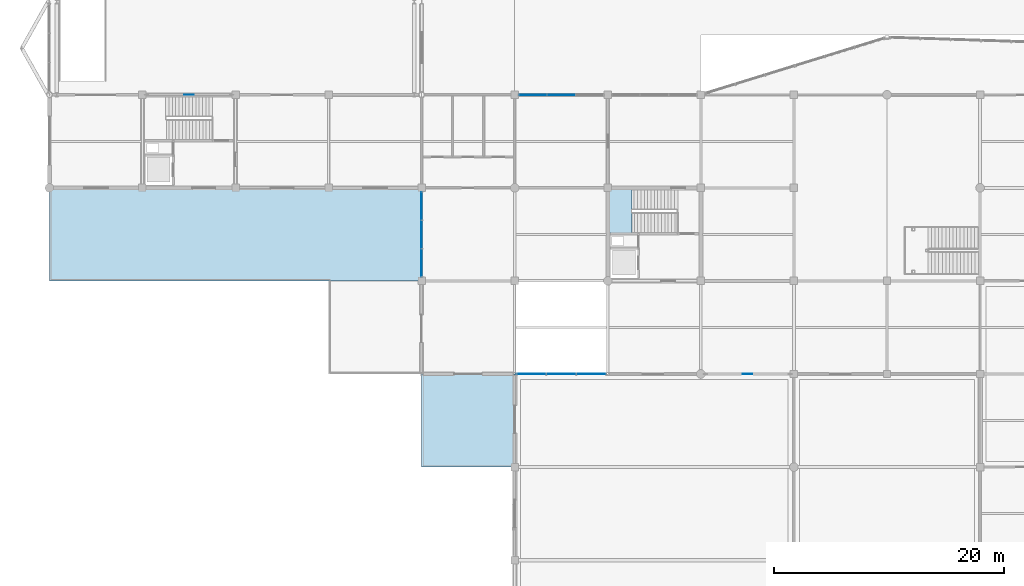
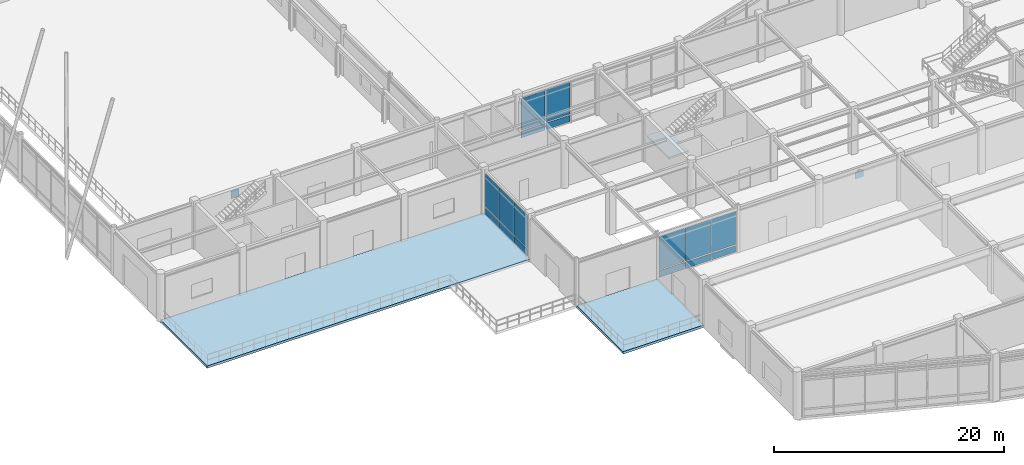
# One storey, part 50 of 99: 18 plates, 3 slabs, 4 elements without a shape of their own.
"""IFC4 building model written with IfcOpenShell, lengths in metres."""

from ifc_helpers import new_model, si_unit, direction, frame, origin, origin_2d, place, context, subcontext, project, spatial, polyline, rectangle, outline, extrude, material, layer, layer_set, type_object, element, aggregate, save


model = new_model("IFC4")

# Units and contexts
model_context = context("Model", 3, precision=1e-05, world=origin(), true_north=direction((0.0, 1.0)))
body_context = subcontext(model_context, "Body", "Model", "MODEL_VIEW")
ifc_project = project(units=[si_unit("LENGTHUNIT", "METRE"), si_unit("AREAUNIT", "SQUARE_METRE"), si_unit("VOLUMEUNIT", "CUBIC_METRE"), si_unit("PLANEANGLEUNIT", "RADIAN"), si_unit("MASSUNIT", "GRAM", prefix="KILO")], contexts=[model_context])

# Site, building, storey
site_placement = place(None, origin())
site = spatial("IfcSite", under=ifc_project, at=site_placement, CompositionType="ELEMENT")
building_placement = place(site_placement, origin())
building = spatial("IfcBuilding", under=site, at=building_placement, Name="Vaudrelin Polytechnic", CompositionType="ELEMENT")
storey_placement = place(building_placement, origin())
storey = spatial("IfcBuildingStorey", under=building, at=storey_placement, Name="L00", CompositionType="ELEMENT", Elevation=0.0)

# Curtain wall, plates
ifc_material_1 = material(Name="Thermally broken anodised aluminium AA 6063-T6 and low-e triple glazing", Category="aluminium")
ifc_layer_1 = layer(ifc_material_1, 0.199951171875)
ifc_layer_set_1 = layer_set([ifc_layer_1], Name="Thermally broken anodised aluminium AA 6063-T6 and low-e triple glazing")
curtain_wall_type_1 = type_object("IfcCurtainWallType", Name="CW-CW-POR", PredefinedType="USERDEFINED", material=ifc_layer_set_1)
curtain_wall_1_placement = place(storey_placement, origin())
curtain_wall_1 = element("IfcCurtainWall", 1, at=curtain_wall_1_placement, inside=storey, type_object=curtain_wall_type_1, Name="Curtain wall L00 W_PORCH_01", ObjectType="CURTAIN WALL", PredefinedType="USERDEFINED")
ifc_material_2 = material(Name="Insulated ceramic-frit spandrel glass panel", Category="glass")
ifc_layer_2 = layer(ifc_material_2, 0.052001953125)
ifc_layer_set_2 = layer_set([ifc_layer_2], Name="Insulated ceramic-frit spandrel glass panel")
plate_type_1 = type_object("IfcPlateType", Name="PLT-GLZ-SPAND", PredefinedType="CURTAIN_PANEL", material=ifc_layer_set_2)
plate_1_placement = place(storey_placement, frame((32.39990234375, 33.96533203125, 0.08984375), z_axis=(0.0, 0.0, 1.0), x_axis=(0.0, 1.0, 0.0)))
plate_1 = element("IfcPlate", 2, at=plate_1_placement, type_object=plate_type_1, Name="W_PORCH_01 spandrel panel 1", PredefinedType="CURTAIN_PANEL", context=body_context, shape_type="SweptSolid", body=[
    extrude(rectangle(XDim=2.384765625, YDim=0.052001953125, at=origin_2d()), origin(), (0.0, 0.0, 1.0), 0.699951171875),
])
plate_2_placement = place(storey_placement, frame((32.39990234375, 36.449951171875, 0.08984375), z_axis=(0.0, 0.0, 1.0), x_axis=(0.0, 1.0, 0.0)))
plate_2 = element("IfcPlate", 3, at=plate_2_placement, type_object=plate_type_1, Name="W_PORCH_01 spandrel panel 2", PredefinedType="CURTAIN_PANEL", context=body_context, shape_type="SweptSolid", body=[
    extrude(rectangle(XDim=2.384765625, YDim=0.052001953125, at=origin_2d()), origin(), (0.0, 0.0, 1.0), 0.699951171875),
])
plate_3_placement = place(storey_placement, frame((32.39990234375, 38.934814453125, 0.08984375), z_axis=(0.0, 0.0, 1.0), x_axis=(0.0, 1.0, 0.0)))
plate_3 = element("IfcPlate", 4, at=plate_3_placement, type_object=plate_type_1, Name="W_PORCH_01 spandrel panel 3", PredefinedType="CURTAIN_PANEL", context=body_context, shape_type="SweptSolid", body=[
    extrude(rectangle(XDim=2.384765625, YDim=0.052001953125, at=origin_2d()), origin(), (0.0, 0.0, 1.0), 0.699951171875),
])

curtain_wall_2_placement = place(storey_placement, origin())
curtain_wall_2 = element("IfcCurtainWall", 5, at=curtain_wall_2_placement, inside=storey, type_object=curtain_wall_type_1, Name="Curtain wall L00 S_PORCH_01", ObjectType="CURTAIN WALL", PredefinedType="USERDEFINED")
plate_4_placement = place(storey_placement, frame((41.933349609375, 24.300048828125, 0.08984375), z_axis=(0.0, 0.0, 1.0), x_axis=(1.0, 0.0, 0.0)))
plate_4 = element("IfcPlate", 6, at=plate_4_placement, type_object=plate_type_1, Name="S_PORCH_01 spandrel panel 1", PredefinedType="CURTAIN_PANEL", context=body_context, shape_type="SweptSolid", body=[
    extrude(rectangle(XDim=2.5166015625, YDim=0.052001953125, at=origin_2d()), origin(), (0.0, 0.0, 1.0), 0.699951171875),
])
plate_5_placement = place(storey_placement, frame((44.550048828125, 24.300048828125, 0.08984375), z_axis=(0.0, 0.0, 1.0), x_axis=(1.0, 0.0, 0.0)))
plate_5 = element("IfcPlate", 7, at=plate_5_placement, type_object=plate_type_1, Name="S_PORCH_01 spandrel panel 2", PredefinedType="CURTAIN_PANEL", context=body_context, shape_type="SweptSolid", body=[
    extrude(rectangle(XDim=2.5166015625, YDim=0.052001953125, at=origin_2d()), origin(), (0.0, 0.0, 1.0), 0.699951171875),
])
plate_6_placement = place(storey_placement, frame((47.166748046875, 24.300048828125, 0.08984375), z_axis=(0.0, 0.0, 1.0), x_axis=(1.0, 0.0, 0.0)))
plate_6 = element("IfcPlate", 8, at=plate_6_placement, type_object=plate_type_1, Name="S_PORCH_01 spandrel panel 3", PredefinedType="CURTAIN_PANEL", context=body_context, shape_type="SweptSolid", body=[
    extrude(rectangle(XDim=2.5166015625, YDim=0.052001953125, at=origin_2d()), origin(), (0.0, 0.0, 1.0), 0.699951171875),
])

ifc_layer_3 = layer(ifc_material_1, 0.199951171875)
ifc_layer_set_3 = layer_set([ifc_layer_3], Name="Thermally broken anodised aluminium AA 6063-T6 and low-e triple glazing")
curtain_wall_type_2 = type_object("IfcCurtainWallType", Name="CW-CW-WG", PredefinedType="USERDEFINED", material=ifc_layer_set_3)
curtain_wall_3_placement = place(storey_placement, origin())
curtain_wall_3 = element("IfcCurtainWall", 9, at=curtain_wall_3_placement, inside=storey, type_object=curtain_wall_type_2, Name="Curtain wall L00 CT_S_00", ObjectType="CURTAIN WALL", PredefinedType="USERDEFINED")
plate_7_placement = place(storey_placement, frame((42.065185546875, 48.60009765625, 0.08984375), z_axis=(0.0, 0.0, 1.0), x_axis=(1.0, 0.0, 0.0)))
plate_7 = element("IfcPlate", 10, at=plate_7_placement, type_object=plate_type_1, Name="CT_S_00 spandrel panel 1", PredefinedType="CURTAIN_PANEL", context=body_context, shape_type="SweptSolid", body=[
    extrude(rectangle(XDim=2.384765625, YDim=0.052001953125, at=origin_2d()), origin(), (0.0, 0.0, 1.0), 0.699951171875),
])
plate_8_placement = place(storey_placement, frame((44.550048828125, 48.60009765625, 0.08984375), z_axis=(0.0, 0.0, 1.0), x_axis=(1.0, 0.0, 0.0)))
plate_8 = element("IfcPlate", 11, at=plate_8_placement, type_object=plate_type_1, Name="CT_S_00 spandrel panel 2", PredefinedType="CURTAIN_PANEL", context=body_context, shape_type="SweptSolid", body=[
    extrude(rectangle(XDim=2.384765625, YDim=0.052001953125, at=origin_2d()), origin(), (0.0, 0.0, 1.0), 0.699951171875),
])

# Plate
ifc_material_3 = material(Name="Triple low-e argon insulated glazing unit", Category="glass")
ifc_layer_4 = layer(ifc_material_3, 0.0439453125)
ifc_layer_set_4 = layer_set([ifc_layer_4], Name="Triple low-e argon insulated glazing unit")
plate_type_2 = type_object("IfcPlateType", Name="PLT-GLZ-TRIPLE", PredefinedType="CURTAIN_PANEL", material=ifc_layer_set_4)
plate_9_placement = place(storey_placement, frame((32.39990234375, 33.96533203125, 0.89990234375), z_axis=(0.0, 0.0, 1.0), x_axis=(0.0, 1.0, 0.0)))
plate_9 = element("IfcPlate", 12, at=plate_9_placement, type_object=plate_type_2, Name="W_PORCH_01 vision panel 1", PredefinedType="CURTAIN_PANEL", context=body_context, shape_type="SweptSolid", body=[
    extrude(rectangle(XDim=2.384765625, YDim=0.0439453125, at=origin_2d()), origin(), (0.0, 0.0, 1.0), 3.51708984375),
])

plate_10_placement = place(storey_placement, frame((32.39990234375, 36.449951171875, 0.89990234375), z_axis=(0.0, 0.0, 1.0), x_axis=(0.0, 1.0, 0.0)))
plate_10 = element("IfcPlate", 13, at=plate_10_placement, type_object=plate_type_2, Name="W_PORCH_01 vision panel 2", PredefinedType="CURTAIN_PANEL", context=body_context, shape_type="SweptSolid", body=[
    extrude(rectangle(XDim=2.384765625, YDim=0.0439453125, at=origin_2d()), origin(), (0.0, 0.0, 1.0), 3.51708984375),
])

plate_11_placement = place(storey_placement, frame((32.39990234375, 38.934814453125, 0.89990234375), z_axis=(0.0, 0.0, 1.0), x_axis=(0.0, 1.0, 0.0)))
plate_11 = element("IfcPlate", 14, at=plate_11_placement, type_object=plate_type_2, Name="W_PORCH_01 vision panel 3", PredefinedType="CURTAIN_PANEL", context=body_context, shape_type="SweptSolid", body=[
    extrude(rectangle(XDim=2.384765625, YDim=0.0439453125, at=origin_2d()), origin(), (0.0, 0.0, 1.0), 3.51708984375),
])

aggregate(curtain_wall_1, [plate_1, plate_9, plate_2, plate_10, plate_3, plate_11])

plate_12_placement = place(storey_placement, frame((41.933349609375, 24.300048828125, 0.89990234375), z_axis=(0.0, 0.0, 1.0), x_axis=(1.0, 0.0, 0.0)))
plate_12 = element("IfcPlate", 15, at=plate_12_placement, type_object=plate_type_2, Name="S_PORCH_01 vision panel 1", PredefinedType="CURTAIN_PANEL", context=body_context, shape_type="SweptSolid", body=[
    extrude(rectangle(XDim=2.5166015625, YDim=0.0439453125, at=origin_2d()), origin(), (0.0, 0.0, 1.0), 3.466064453125),
])

plate_13_placement = place(storey_placement, frame((44.550048828125, 24.300048828125, 0.89990234375), z_axis=(0.0, 0.0, 1.0), x_axis=(1.0, 0.0, 0.0)))
plate_13 = element("IfcPlate", 16, at=plate_13_placement, type_object=plate_type_2, Name="S_PORCH_01 vision panel 2", PredefinedType="CURTAIN_PANEL", context=body_context, shape_type="SweptSolid", body=[
    extrude(rectangle(XDim=2.5166015625, YDim=0.0439453125, at=origin_2d()), origin(), (0.0, 0.0, 1.0), 3.466064453125),
])

plate_14_placement = place(storey_placement, frame((47.166748046875, 24.300048828125, 0.89990234375), z_axis=(0.0, 0.0, 1.0), x_axis=(1.0, 0.0, 0.0)))
plate_14 = element("IfcPlate", 17, at=plate_14_placement, type_object=plate_type_2, Name="S_PORCH_01 vision panel 3", PredefinedType="CURTAIN_PANEL", context=body_context, shape_type="SweptSolid", body=[
    extrude(rectangle(XDim=2.5166015625, YDim=0.0439453125, at=origin_2d()), origin(), (0.0, 0.0, 1.0), 3.466064453125),
])

aggregate(curtain_wall_2, [plate_4, plate_12, plate_5, plate_13, plate_6, plate_14])

plate_15_placement = place(storey_placement, frame((42.065185546875, 48.60009765625, 0.900146484375), z_axis=(0.0, 0.0, 1.0), x_axis=(1.0, 0.0, 0.0)))
plate_15 = element("IfcPlate", 18, at=plate_15_placement, type_object=plate_type_2, Name="CT_S_00 vision panel 1", PredefinedType="CURTAIN_PANEL", context=body_context, shape_type="SweptSolid", body=[
    extrude(rectangle(XDim=2.384765625, YDim=0.0439453125, at=origin_2d()), origin(), (0.0, 0.0, 1.0), 3.35888671875),
])

plate_16_placement = place(storey_placement, frame((44.550048828125, 48.60009765625, 0.900146484375), z_axis=(0.0, 0.0, 1.0), x_axis=(1.0, 0.0, 0.0)))
plate_16 = element("IfcPlate", 19, at=plate_16_placement, type_object=plate_type_2, Name="CT_S_00 vision panel 2", PredefinedType="CURTAIN_PANEL", context=body_context, shape_type="SweptSolid", body=[
    extrude(rectangle(XDim=2.384765625, YDim=0.0439453125, at=origin_2d()), origin(), (0.0, 0.0, 1.0), 3.35888671875),
])

aggregate(curtain_wall_3, [plate_7, plate_15, plate_8, plate_16])

# Plates
ifc_material_4 = material(Name="Steel CSA G40.21 350WT", Category="steel")
ifc_layer_5 = layer(ifc_material_4, 0.028076171875)
ifc_layer_set_5 = layer_set([ifc_layer_5], Name="Steel CSA G40.21 350WT")
plate_type_3 = type_object("IfcPlateType", Name="PLT-GP-02", PredefinedType="USERDEFINED", material=ifc_layer_set_5)
plate_17_placement = place(storey_placement, frame((12.14990234375, 48.60009765625, 3.7939453125), z_axis=(0.0, 0.0, 1.0), x_axis=(1.0, 0.0, 0.0)))
element("IfcPlate", 20, at=plate_17_placement, inside=storey, type_object=plate_type_3, Name="Braced-frame apex gusset plate GP-BF01", ObjectType="GUSSET PLATE", PredefinedType="USERDEFINED", context=body_context, shape_type="SweptSolid", body=[
    extrude(rectangle(XDim=0.800048828125, YDim=0.028076171875, at=origin_2d()), origin(), (0.0, 0.0, 1.0), 0.800048828125),
])
ifc_layer_6 = layer(ifc_material_4, 0.030029296875)
ifc_layer_set_6 = layer_set([ifc_layer_6], Name="Steel CSA G40.21 350WT")
plate_type_4 = type_object("IfcPlateType", Name="PLT-GP-06", PredefinedType="USERDEFINED", material=ifc_layer_set_6)
plate_18_placement = place(storey_placement, frame((60.75, 24.300048828125, 3.626953125), z_axis=(0.0, 0.0, 1.0), x_axis=(1.0, 0.0, 0.0)))
element("IfcPlate", 21, at=plate_18_placement, inside=storey, type_object=plate_type_4, Name="Braced-frame apex gusset plate GP-BF05", ObjectType="GUSSET PLATE", PredefinedType="USERDEFINED", context=body_context, shape_type="SweptSolid", body=[
    extrude(rectangle(XDim=0.85009765625, YDim=0.030029296875, at=origin_2d()), origin(), (0.0, 0.0, 1.0), 0.699951171875),
])

# Stair, slab
ifc_material_5 = material(Name="Concrete 35 MPa", Category="concrete")
stair_type = type_object("IfcStairType", Name="STR-ST-CORE", PredefinedType="TWO_STRAIGHT_RUN_STAIR", material=ifc_material_5)
stair_placement = place(storey_placement, origin())
stair = element("IfcStair", 22, at=stair_placement, inside=storey, type_object=stair_type, Name="Exit stair ST-04-L00", PredefinedType="TWO_STRAIGHT_RUN_STAIR")
ifc_layer_7 = layer(ifc_material_5, 0.219970703125)
ifc_layer_set_7 = layer_set([ifc_layer_7], Name="Concrete 35 MPa")
slab_type_1 = type_object("IfcSlabType", Name="SLB-LND220", PredefinedType="LANDING", material=ifc_layer_set_7)
slab_1_placement = place(storey_placement, frame((0.0, 0.0, 2.330078125)))
slab_1 = element("IfcSlab", 23, at=slab_1_placement, type_object=slab_type_1, Name="ST-04-L00 landing 1", PredefinedType="LANDING", context=body_context, shape_type="SweptSolid", body=[
    extrude(outline(polyline([(48.739990234375, 36.56005859375), (50.7099609375, 36.56005859375), (50.7099609375, 40.39990234375), (48.739990234375, 40.39990234375), (48.739990234375, 36.56005859375)])), origin(), (0.0, 0.0, 1.0), 0.219970703125),
])
aggregate(stair, [slab_1])

# Slabs
ifc_layer_8 = layer(ifc_material_5, 0.2548828125)
ifc_layer_set_8 = layer_set([ifc_layer_8], Name="Concrete 35 MPa")
slab_type_2 = type_object("IfcSlabType", Name="SLB-SL-PLZ200", PredefinedType="FLOOR", material=ifc_layer_set_8)
slab_2_placement = place(storey_placement, frame((0.0, 0.0, -0.2548828125)))
element("IfcSlab", 24, at=slab_2_placement, inside=storey, type_object=slab_type_2, Name="L00 plaza slab AP-PORCH-S", PredefinedType="FLOOR", context=body_context, shape_type="SweptSolid", body=[
    extrude(outline(polyline([(32.39990234375, 16.199951171875), (40.5, 16.199951171875), (40.5, 24.300048828125), (32.39990234375, 24.300048828125), (32.39990234375, 16.199951171875)])), origin(), (0.0, 0.0, 1.0), 0.2548828125),
])
ifc_layer_9 = layer(ifc_material_5, 0.25)
ifc_layer_set_9 = layer_set([ifc_layer_9], Name="Concrete 35 MPa")
slab_type_3 = type_object("IfcSlabType", Name="SLB-SL-TER250", PredefinedType="FLOOR", material=ifc_layer_set_9)
slab_3_placement = place(storey_placement, frame((0.0, 0.0, -0.25)))
element("IfcSlab", 25, at=slab_3_placement, inside=storey, type_object=slab_type_3, Name="L00 terrace slab FC-PLAZA", PredefinedType="FLOOR", context=body_context, shape_type="SweptSolid", body=[
    extrude(outline(polyline([(0.0, 32.39990234375), (32.39990234375, 32.39990234375), (32.39990234375, 40.5), (0.0, 40.5), (0.0, 32.39990234375)])), origin(), (0.0, 0.0, 1.0), 0.25),
])

save(model, "model.ifc")
